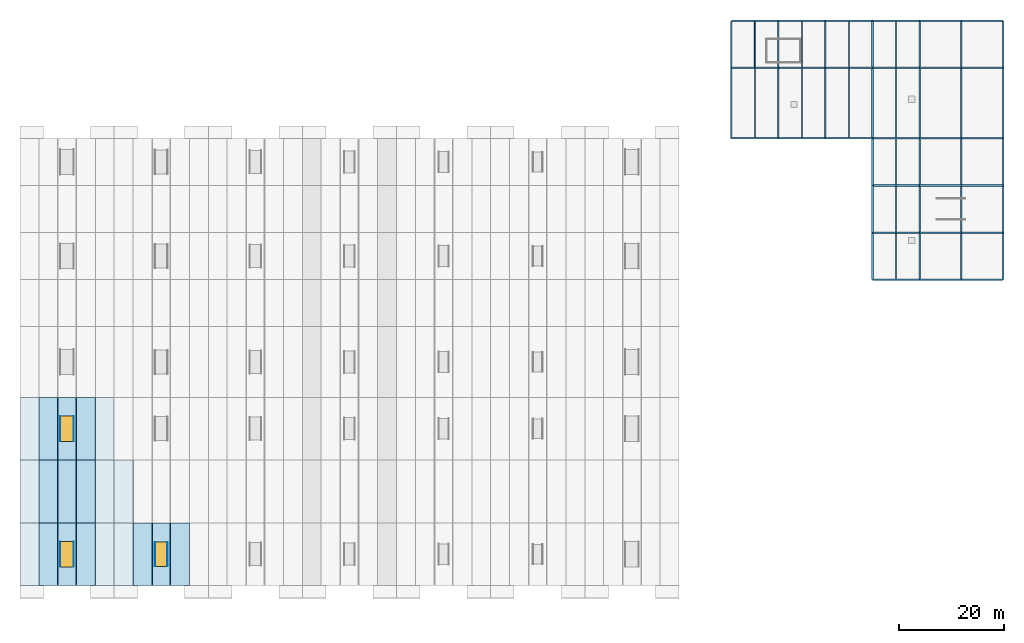
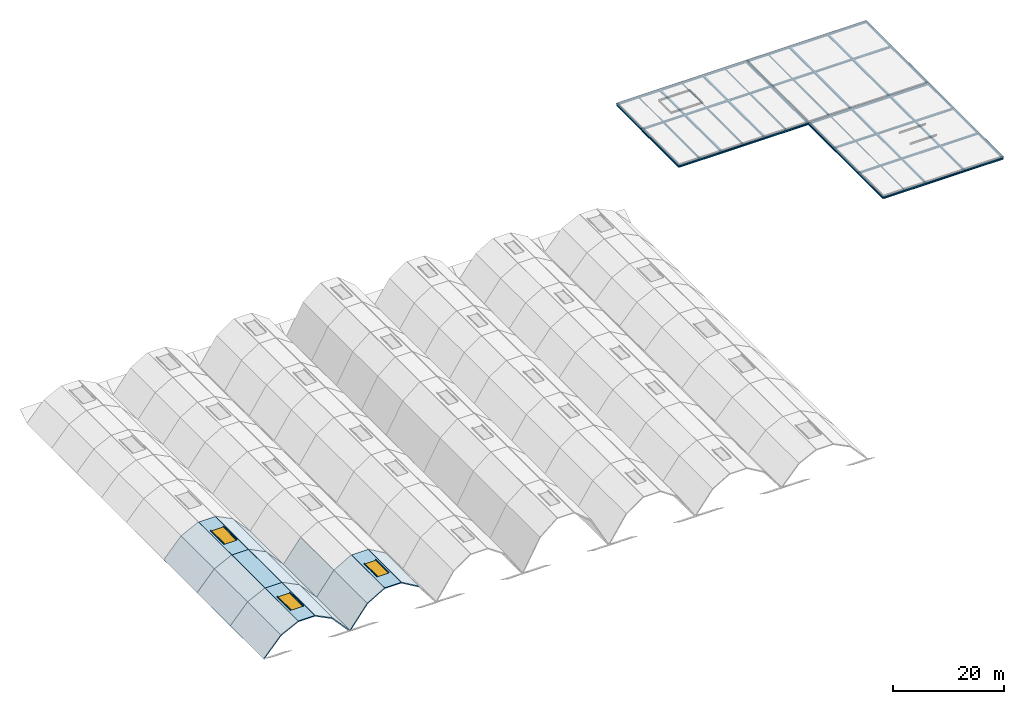
# One storey, part 1 of 11: 64 beams, 20 slabs, 6 plates, 3 windows, 3 openings.
"""IFC4 building model written with IfcOpenShell, lengths in metres."""

from ifc_helpers import new_model, si_unit, direction, frame, origin, origin_2d, place, context, subcontext, project, spatial, polyline, rectangle, i_section, outline, extrude, material, layer, layer_set, material_profile, profile_set, type_object, element, fill, save


model = new_model("IFC4")

# Units and contexts
model_context = context("Model", 3, precision=1e-05, world=origin(), true_north=direction((0.0, 1.0)))
body_context = subcontext(model_context, "Body", "Model", "MODEL_VIEW")
ifc_project = project(units=[si_unit("LENGTHUNIT", "METRE"), si_unit("AREAUNIT", "SQUARE_METRE"), si_unit("VOLUMEUNIT", "CUBIC_METRE"), si_unit("PLANEANGLEUNIT", "RADIAN"), si_unit("MASSUNIT", "GRAM", prefix="KILO")], contexts=[model_context])

# Site, building, storey
site_placement = place(None, origin())
site = spatial("IfcSite", under=ifc_project, at=site_placement, CompositionType="ELEMENT")
building_placement = place(site_placement, origin())
building = spatial("IfcBuilding", under=site, at=building_placement, Name="Chuanluo Vaults Station", CompositionType="ELEMENT")
storey_placement = place(building_placement, frame((0.0, 0.0, 24.0)))
storey = spatial("IfcBuildingStorey", under=building, at=storey_placement, Name="RF", CompositionType="ELEMENT", Elevation=24.0)

# Beams
ifc_material_1 = material(Name="Steel Q355C", Category="steel")
ifc_material_profile_1 = material_profile(ifc_material_1, i_section(OverallWidth=0.300048828125, OverallDepth=0.389892578125, WebThickness=0.010009765625, FlangeThickness=0.01611328125, FilletRadius=0.02001953125, at=origin_2d()))
ifc_profile_set_1 = profile_set([ifc_material_profile_1], Name="Steel Q355C")
beam_type_1 = type_object("IfcBeamType", Name="BM-GRD-400", PredefinedType="BEAM", material=ifc_profile_set_1)
beam_1_placement = place(storey_placement, frame((163.0, 76.5, -0.75), z_axis=(1.0, 0.0, 0.0), x_axis=(0.0, 1.0, 0.0)))
element("IfcBeam", 1, at=beam_1_placement, inside=storey, type_object=beam_type_1, Name="Floor girder BM:GX:RF:1016", PredefinedType="BEAM", context=body_context, shape_type="SweptSolid", body=[
    extrude(i_section(OverallWidth=0.300048828125, OverallDepth=0.389892578125, WebThickness=0.010009765625, FlangeThickness=0.01611328125, FilletRadius=0.02001953125, at=origin_2d()), origin(), (0.0, 0.0, 1.0), 9.0),
])
for number, where, z_axis, x_axis, name in (
    (2, (172.0, 76.5, -0.75), (1.0, 0.0, 0.0), (0.0, 1.0, 0.0), "Floor girder BM:GX:RF:1017"),
    (3, (180.0, 76.5, -0.75), (1.0, 0.0, 0.0), (0.0, 1.0, 0.0), "Floor girder BM:GX:RF:1018"),
):
    element("IfcBeam", number, at=place(storey_placement, frame(where, z_axis=z_axis, x_axis=x_axis)), inside=storey, type_object=beam_type_1, Name=name, PredefinedType="BEAM", context=body_context, shape_type="SweptSolid", body=[
        extrude(i_section(OverallWidth=0.300048828125, OverallDepth=0.389892578125, WebThickness=0.010009765625, FlangeThickness=0.01611328125, FilletRadius=0.02001953125, at=origin_2d()), origin(), (0.0, 0.0, 1.0), 8.0),
    ])
beam_2_placement = place(storey_placement, frame((163.0, 85.5, -0.75), z_axis=(1.0, 0.0, 0.0), x_axis=(0.0, 1.0, 0.0)))
element("IfcBeam", 4, at=beam_2_placement, inside=storey, type_object=beam_type_1, Name="Floor girder BM:GX:RF:1019", PredefinedType="BEAM", context=body_context, shape_type="SweptSolid", body=[
    extrude(i_section(OverallWidth=0.300048828125, OverallDepth=0.389892578125, WebThickness=0.010009765625, FlangeThickness=0.01611328125, FilletRadius=0.02001953125, at=origin_2d()), origin(), (0.0, 0.0, 1.0), 9.0),
])
for number, where, z_axis, x_axis, name in (
    (5, (172.0, 85.5, -0.75), (1.0, 0.0, 0.0), (0.0, 1.0, 0.0), "Floor girder BM:GX:RF:1020"),
    (6, (180.0, 85.5, -0.75), (1.0, 0.0, 0.0), (0.0, 1.0, 0.0), "Floor girder BM:GX:RF:1021"),
):
    element("IfcBeam", number, at=place(storey_placement, frame(where, z_axis=z_axis, x_axis=x_axis)), inside=storey, type_object=beam_type_1, Name=name, PredefinedType="BEAM", context=body_context, shape_type="SweptSolid", body=[
        extrude(i_section(OverallWidth=0.300048828125, OverallDepth=0.389892578125, WebThickness=0.010009765625, FlangeThickness=0.01611328125, FilletRadius=0.02001953125, at=origin_2d()), origin(), (0.0, 0.0, 1.0), 8.0),
    ])
beam_3_placement = place(storey_placement, frame((163.0, 94.5, -0.75), z_axis=(1.0, 0.0, 0.0), x_axis=(0.0, 1.0, 0.0)))
element("IfcBeam", 7, at=beam_3_placement, inside=storey, type_object=beam_type_1, Name="Floor girder BM:GX:RF:1022", PredefinedType="BEAM", context=body_context, shape_type="SweptSolid", body=[
    extrude(i_section(OverallWidth=0.300048828125, OverallDepth=0.389892578125, WebThickness=0.010009765625, FlangeThickness=0.01611328125, FilletRadius=0.02001953125, at=origin_2d()), origin(), (0.0, 0.0, 1.0), 9.0),
])
for number, where, z_axis, x_axis, name in (
    (8, (172.0, 94.5, -0.75), (1.0, 0.0, 0.0), (0.0, 1.0, 0.0), "Floor girder BM:GX:RF:1023"),
    (9, (180.0, 94.5, -0.75), (1.0, 0.0, 0.0), (0.0, 1.0, 0.0), "Floor girder BM:GX:RF:1024"),
):
    element("IfcBeam", number, at=place(storey_placement, frame(where, z_axis=z_axis, x_axis=x_axis)), inside=storey, type_object=beam_type_1, Name=name, PredefinedType="BEAM", context=body_context, shape_type="SweptSolid", body=[
        extrude(i_section(OverallWidth=0.300048828125, OverallDepth=0.389892578125, WebThickness=0.010009765625, FlangeThickness=0.01611328125, FilletRadius=0.02001953125, at=origin_2d()), origin(), (0.0, 0.0, 1.0), 8.0),
    ])
for number, where, z_axis, x_axis, name in (
    (10, (136.0, 103.5, -0.75), (1.0, 0.0, 0.0), (0.0, 1.0, 0.0), "Floor girder BM:GX:RF:1025"),
    (11, (145.0, 103.5, -0.75), (1.0, 0.0, 0.0), (0.0, 1.0, 0.0), "Floor girder BM:GX:RF:1026"),
    (12, (154.0, 103.5, -0.75), (1.0, 0.0, 0.0), (0.0, 1.0, 0.0), "Floor girder BM:GX:RF:1027"),
    (13, (163.0, 103.5, -0.75), (1.0, 0.0, 0.0), (0.0, 1.0, 0.0), "Floor girder BM:GX:RF:1028"),
):
    element("IfcBeam", number, at=place(storey_placement, frame(where, z_axis=z_axis, x_axis=x_axis)), inside=storey, type_object=beam_type_1, Name=name, PredefinedType="BEAM", context=body_context, shape_type="SweptSolid", body=[
        extrude(i_section(OverallWidth=0.300048828125, OverallDepth=0.389892578125, WebThickness=0.010009765625, FlangeThickness=0.01611328125, FilletRadius=0.02001953125, at=origin_2d()), origin(), (0.0, 0.0, 1.0), 9.0),
    ])
for number, where, z_axis, x_axis, name in (
    (14, (172.0, 103.5, -0.75), (1.0, 0.0, 0.0), (0.0, 1.0, 0.0), "Floor girder BM:GX:RF:1029"),
    (15, (180.0, 103.5, -0.75), (1.0, 0.0, 0.0), (0.0, 1.0, 0.0), "Floor girder BM:GX:RF:1030"),
):
    element("IfcBeam", number, at=place(storey_placement, frame(where, z_axis=z_axis, x_axis=x_axis)), inside=storey, type_object=beam_type_1, Name=name, PredefinedType="BEAM", context=body_context, shape_type="SweptSolid", body=[
        extrude(i_section(OverallWidth=0.300048828125, OverallDepth=0.389892578125, WebThickness=0.010009765625, FlangeThickness=0.01611328125, FilletRadius=0.02001953125, at=origin_2d()), origin(), (0.0, 0.0, 1.0), 8.0),
    ])
for number, where, z_axis, x_axis, name in (
    (16, (136.0, 117.0, -0.75), (1.0, 0.0, 0.0), (0.0, 1.0, 0.0), "Floor girder BM:GX:RF:1031"),
    (17, (145.0, 117.0, -0.75), (1.0, 0.0, 0.0), (0.0, 1.0, 0.0), "Floor girder BM:GX:RF:1032"),
    (18, (154.0, 117.0, -0.75), (1.0, 0.0, 0.0), (0.0, 1.0, 0.0), "Floor girder BM:GX:RF:1033"),
    (19, (163.0, 117.0, -0.75), (1.0, 0.0, 0.0), (0.0, 1.0, 0.0), "Floor girder BM:GX:RF:1034"),
):
    element("IfcBeam", number, at=place(storey_placement, frame(where, z_axis=z_axis, x_axis=x_axis)), inside=storey, type_object=beam_type_1, Name=name, PredefinedType="BEAM", context=body_context, shape_type="SweptSolid", body=[
        extrude(i_section(OverallWidth=0.300048828125, OverallDepth=0.389892578125, WebThickness=0.010009765625, FlangeThickness=0.01611328125, FilletRadius=0.02001953125, at=origin_2d()), origin(), (0.0, 0.0, 1.0), 9.0),
    ])
for number, where, z_axis, x_axis, name in (
    (20, (172.0, 117.0, -0.75), (1.0, 0.0, 0.0), (0.0, 1.0, 0.0), "Floor girder BM:GX:RF:1035"),
    (21, (180.0, 117.0, -0.75), (1.0, 0.0, 0.0), (0.0, 1.0, 0.0), "Floor girder BM:GX:RF:1036"),
):
    element("IfcBeam", number, at=place(storey_placement, frame(where, z_axis=z_axis, x_axis=x_axis)), inside=storey, type_object=beam_type_1, Name=name, PredefinedType="BEAM", context=body_context, shape_type="SweptSolid", body=[
        extrude(i_section(OverallWidth=0.300048828125, OverallDepth=0.389892578125, WebThickness=0.010009765625, FlangeThickness=0.01611328125, FilletRadius=0.02001953125, at=origin_2d()), origin(), (0.0, 0.0, 1.0), 8.0),
    ])
for number, where, z_axis, x_axis, name in (
    (22, (136.0, 126.0, -0.75), (1.0, 0.0, 0.0), (0.0, 1.0, 0.0), "Floor girder BM:GX:RF:1037"),
    (23, (145.0, 126.0, -0.75), (1.0, 0.0, 0.0), (0.0, 1.0, 0.0), "Floor girder BM:GX:RF:1038"),
    (24, (154.0, 126.0, -0.75), (1.0, 0.0, 0.0), (0.0, 1.0, 0.0), "Floor girder BM:GX:RF:1039"),
    (25, (163.0, 126.0, -0.75), (1.0, 0.0, 0.0), (0.0, 1.0, 0.0), "Floor girder BM:GX:RF:1040"),
):
    element("IfcBeam", number, at=place(storey_placement, frame(where, z_axis=z_axis, x_axis=x_axis)), inside=storey, type_object=beam_type_1, Name=name, PredefinedType="BEAM", context=body_context, shape_type="SweptSolid", body=[
        extrude(i_section(OverallWidth=0.300048828125, OverallDepth=0.389892578125, WebThickness=0.010009765625, FlangeThickness=0.01611328125, FilletRadius=0.02001953125, at=origin_2d()), origin(), (0.0, 0.0, 1.0), 9.0),
    ])
for number, where, z_axis, x_axis, name in (
    (26, (172.0, 126.0, -0.75), (1.0, 0.0, 0.0), (0.0, 1.0, 0.0), "Floor girder BM:GX:RF:1041"),
    (27, (180.0, 126.0, -0.75), (1.0, 0.0, 0.0), (0.0, 1.0, 0.0), "Floor girder BM:GX:RF:1042"),
):
    element("IfcBeam", number, at=place(storey_placement, frame(where, z_axis=z_axis, x_axis=x_axis)), inside=storey, type_object=beam_type_1, Name=name, PredefinedType="BEAM", context=body_context, shape_type="SweptSolid", body=[
        extrude(i_section(OverallWidth=0.300048828125, OverallDepth=0.389892578125, WebThickness=0.010009765625, FlangeThickness=0.01611328125, FilletRadius=0.02001953125, at=origin_2d()), origin(), (0.0, 0.0, 1.0), 8.0),
    ])
for number, where, z_axis, x_axis, name in (
    (28, (136.0, 117.0, -0.75), (0.0, 1.0, 0.0), (-1.0, 0.0, 0.0), "Floor girder BM:GY:RF:1044"),
    (29, (145.0, 117.0, -0.75), (0.0, 1.0, 0.0), (-1.0, 0.0, 0.0), "Floor girder BM:GY:RF:1046"),
    (30, (154.0, 117.0, -0.75), (0.0, 1.0, 0.0), (-1.0, 0.0, 0.0), "Floor girder BM:GY:RF:1048"),
    (31, (163.0, 76.5, -0.75), (0.0, 1.0, 0.0), (-1.0, 0.0, 0.0), "Floor girder BM:GY:RF:1049"),
    (32, (163.0, 85.5, -0.75), (0.0, 1.0, 0.0), (-1.0, 0.0, 0.0), "Floor girder BM:GY:RF:1050"),
    (33, (163.0, 94.5, -0.75), (0.0, 1.0, 0.0), (-1.0, 0.0, 0.0), "Floor girder BM:GY:RF:1051"),
    (34, (163.0, 117.0, -0.75), (0.0, 1.0, 0.0), (-1.0, 0.0, 0.0), "Floor girder BM:GY:RF:1053"),
    (35, (172.0, 76.5, -0.75), (0.0, 1.0, 0.0), (-1.0, 0.0, 0.0), "Floor girder BM:GY:RF:1054"),
    (36, (172.0, 85.5, -0.75), (0.0, 1.0, 0.0), (-1.0, 0.0, 0.0), "Floor girder BM:GY:RF:1055"),
    (37, (172.0, 94.5, -0.75), (0.0, 1.0, 0.0), (-1.0, 0.0, 0.0), "Floor girder BM:GY:RF:1056"),
    (38, (172.0, 117.0, -0.75), (0.0, 1.0, 0.0), (-1.0, 0.0, 0.0), "Floor girder BM:GY:RF:1058"),
    (39, (180.0, 76.5, -0.75), (0.0, 1.0, 0.0), (-1.0, 0.0, 0.0), "Floor girder BM:GY:RF:1059"),
    (40, (180.0, 85.5, -0.75), (0.0, 1.0, 0.0), (-1.0, 0.0, 0.0), "Floor girder BM:GY:RF:1060"),
    (41, (180.0, 94.5, -0.75), (0.0, 1.0, 0.0), (-1.0, 0.0, 0.0), "Floor girder BM:GY:RF:1061"),
    (42, (180.0, 117.0, -0.75), (0.0, 1.0, 0.0), (-1.0, 0.0, 0.0), "Floor girder BM:GY:RF:1063"),
    (43, (188.0, 76.5, -0.75), (0.0, 1.0, 0.0), (-1.0, 0.0, 0.0), "Floor girder BM:GY:RF:1064"),
    (44, (188.0, 85.5, -0.75), (0.0, 1.0, 0.0), (-1.0, 0.0, 0.0), "Floor girder BM:GY:RF:1065"),
    (45, (188.0, 94.5, -0.75), (0.0, 1.0, 0.0), (-1.0, 0.0, 0.0), "Floor girder BM:GY:RF:1066"),
    (46, (188.0, 117.0, -0.75), (0.0, 1.0, 0.0), (-1.0, 0.0, 0.0), "Floor girder BM:GY:RF:1068"),
):
    element("IfcBeam", number, at=place(storey_placement, frame(where, z_axis=z_axis, x_axis=x_axis)), inside=storey, type_object=beam_type_1, Name=name, PredefinedType="BEAM", context=body_context, shape_type="SweptSolid", body=[
        extrude(i_section(OverallWidth=0.300048828125, OverallDepth=0.389892578125, WebThickness=0.010009765625, FlangeThickness=0.01611328125, FilletRadius=0.02001953125, at=origin_2d()), origin(), (0.0, 0.0, 1.0), 9.0),
    ])
ifc_material_2 = material(Name="Steel Q355C", Category="steel")
ifc_material_profile_2 = material_profile(ifc_material_2, i_section(OverallWidth=0.300048828125, OverallDepth=0.43994140625, WebThickness=0.010986328125, FlangeThickness=0.01806640625, FilletRadius=0.02001953125, at=origin_2d()))
ifc_profile_set_2 = profile_set([ifc_material_profile_2], Name="Steel Q355C")
beam_type_2 = type_object("IfcBeamType", Name="BM-GRD-450", PredefinedType="USERDEFINED", material=ifc_profile_set_2)
for number, where, z_axis, x_axis, name in (
    (47, (136.0, 103.5, -0.77490234375), (0.0, 1.0, 0.0), (-1.0, 0.0, 0.0), "Floor girder BM:GY:RF:1043"),
    (48, (145.0, 103.5, -0.77490234375), (0.0, 1.0, 0.0), (-1.0, 0.0, 0.0), "Floor girder BM:GY:RF:1045"),
    (49, (154.0, 103.5, -0.77490234375), (0.0, 1.0, 0.0), (-1.0, 0.0, 0.0), "Floor girder BM:GY:RF:1047"),
    (50, (163.0, 103.5, -0.77490234375), (0.0, 1.0, 0.0), (-1.0, 0.0, 0.0), "Floor girder BM:GY:RF:1052"),
    (51, (172.0, 103.5, -0.77490234375), (0.0, 1.0, 0.0), (-1.0, 0.0, 0.0), "Floor girder BM:GY:RF:1057"),
    (52, (180.0, 103.5, -0.77490234375), (0.0, 1.0, 0.0), (-1.0, 0.0, 0.0), "Floor girder BM:GY:RF:1062"),
    (53, (188.0, 103.5, -0.77490234375), (0.0, 1.0, 0.0), (-1.0, 0.0, 0.0), "Floor girder BM:GY:RF:1067"),
):
    element("IfcBeam", number, at=place(storey_placement, frame(where, z_axis=z_axis, x_axis=x_axis)), inside=storey, type_object=beam_type_2, Name=name, ObjectType="GIRDER", PredefinedType="USERDEFINED", context=body_context, shape_type="SweptSolid", body=[
        extrude(i_section(OverallWidth=0.300048828125, OverallDepth=0.43994140625, WebThickness=0.010986328125, FlangeThickness=0.01806640625, FilletRadius=0.02001953125, at=origin_2d()), origin(), (0.0, 0.0, 1.0), 13.5),
    ])
ifc_material_3 = material(Name="Steel Q355C", Category="steel")
ifc_material_profile_3 = material_profile(ifc_material_3, i_section(OverallWidth=0.125, OverallDepth=0.25, WebThickness=0.006103515625, FlangeThickness=0.009033203125, FilletRadius=0.011962890625, at=origin_2d()))
ifc_profile_set_3 = profile_set([ifc_material_profile_3], Name="Steel Q355C")
beam_type_3 = type_object("IfcBeamType", Name="BM-SEC-250", PredefinedType="JOIST", material=ifc_profile_set_3)
for number, where, z_axis, x_axis, name in (
    (54, (140.5, 117.155029296875, -0.679931640625), (0.0, 1.0, 0.0), (-1.0, 0.0, 0.0), "Composite secondary joist 0311"),
    (55, (149.5, 117.155029296875, -0.679931640625), (0.0, 1.0, 0.0), (-1.0, 0.0, 0.0), "Composite secondary joist 0313"),
    (56, (158.5, 117.155029296875, -0.679931640625), (0.0, 1.0, 0.0), (-1.0, 0.0, 0.0), "Composite secondary joist 0315"),
    (57, (167.5, 76.655029296875, -0.679931640625), (0.0, 1.0, 0.0), (-1.0, 0.0, 0.0), "Composite secondary joist 0316"),
    (58, (167.5, 85.655029296875, -0.679931640625), (0.0, 1.0, 0.0), (-1.0, 0.0, 0.0), "Composite secondary joist 0317"),
    (59, (167.5, 94.655029296875, -0.679931640625), (0.0, 1.0, 0.0), (-1.0, 0.0, 0.0), "Composite secondary joist 0318"),
    (60, (167.5, 117.155029296875, -0.679931640625), (0.0, 1.0, 0.0), (-1.0, 0.0, 0.0), "Composite secondary joist 0320"),
):
    element("IfcBeam", number, at=place(storey_placement, frame(where, z_axis=z_axis, x_axis=x_axis)), inside=storey, type_object=beam_type_3, Name=name, PredefinedType="JOIST", context=body_context, shape_type="SweptSolid", body=[
        extrude(i_section(OverallWidth=0.125, OverallDepth=0.25, WebThickness=0.006103515625, FlangeThickness=0.009033203125, FilletRadius=0.011962890625, at=origin_2d()), origin(), (0.0, 0.0, 1.0), 8.68994140625),
    ])
ifc_material_4 = material(Name="Steel Q355C", Category="steel")
ifc_material_profile_4 = material_profile(ifc_material_4, i_section(OverallWidth=0.199951171875, OverallDepth=0.39990234375, WebThickness=0.008056640625, FlangeThickness=0.012939453125, FilletRadius=0.01611328125, at=origin_2d()))
ifc_profile_set_4 = profile_set([ifc_material_profile_4], Name="Steel Q355C")
beam_type_4 = type_object("IfcBeamType", Name="BM-SEC-400", PredefinedType="BEAM", material=ifc_profile_set_4)
for number, where, z_axis, x_axis, name in (
    (61, (140.5, 103.655029296875, -0.7548828125), (0.0, 1.0, 0.0), (-1.0, 0.0, 0.0), "Composite secondary joist 0310"),
    (62, (149.5, 103.655029296875, -0.7548828125), (0.0, 1.0, 0.0), (-1.0, 0.0, 0.0), "Composite secondary joist 0312"),
    (63, (158.5, 103.655029296875, -0.7548828125), (0.0, 1.0, 0.0), (-1.0, 0.0, 0.0), "Composite secondary joist 0314"),
    (64, (167.5, 103.655029296875, -0.7548828125), (0.0, 1.0, 0.0), (-1.0, 0.0, 0.0), "Composite secondary joist 0319"),
):
    element("IfcBeam", number, at=place(storey_placement, frame(where, z_axis=z_axis, x_axis=x_axis)), inside=storey, type_object=beam_type_4, Name=name, PredefinedType="BEAM", context=body_context, shape_type="SweptSolid", body=[
        extrude(i_section(OverallWidth=0.199951171875, OverallDepth=0.39990234375, WebThickness=0.008056640625, FlangeThickness=0.012939453125, FilletRadius=0.01611328125, at=origin_2d()), origin(), (0.0, 0.0, 1.0), 13.18994140625),
    ])

# Plates
ifc_material_5 = material(Name="Laminated safety skylight glass", Category="glass")
ifc_layer_1 = layer(ifc_material_5, 0.033935546875)
ifc_layer_set_1 = layer_set([ifc_layer_1], Name="Laminated safety skylight glass")
plate_type_1 = type_object("IfcPlateType", Name="PLT-SKY-01", PredefinedType="SHEET", material=ifc_layer_set_1)
for number, where, z_axis, x_axis, name in (
    (65, (7.699951171875, 24.0, -4.0498046875), (0.0, 0.0, 1.0), (1.0, 0.0, 0.0), "Vault V1 skylight kerb plate 01W"),
    (66, (7.699951171875, 48.0, -4.0498046875), (0.0, 0.0, 1.0), (1.0, 0.0, 0.0), "Vault V1 skylight kerb plate 02W"),
):
    element("IfcPlate", number, at=place(storey_placement, frame(where, z_axis=z_axis, x_axis=x_axis)), inside=storey, type_object=plate_type_1, Name=name, PredefinedType="SHEET", context=body_context, shape_type="SweptSolid", body=[
        extrude(rectangle(XDim=0.033935546875, YDim=4.800048828125, at=origin_2d()), origin(), (0.0, 0.0, 1.0), 0.219970703125),
    ])
plate_1_placement = place(storey_placement, frame((25.800048828125, 24.0, -3.0498046875), z_axis=(0.0, 0.0, 1.0), x_axis=(1.0, 0.0, 0.0)))
element("IfcPlate", 67, at=plate_1_placement, inside=storey, type_object=plate_type_1, Name="Vault V2 skylight kerb plate 06W", PredefinedType="SHEET", context=body_context, shape_type="SweptSolid", body=[
    extrude(rectangle(XDim=0.033935546875, YDim=4.60009765625, at=origin_2d()), origin(), (0.0, 0.0, 1.0), 0.219970703125),
])
ifc_material_6 = material(Name="Laminated safety skylight glass", Category="glass")
ifc_layer_2 = layer(ifc_material_6, 0.030029296875)
ifc_layer_set_2 = layer_set([ifc_layer_2], Name="Laminated safety skylight glass")
plate_type_2 = type_object("IfcPlateType", Name="PLT-SKY-02", PredefinedType="SHEET", material=ifc_layer_set_2)
for number, where, z_axis, x_axis, name in (
    (68, (10.300048828125, 24.0, -4.0498046875), (0.0, 0.0, 1.0), (1.0, 0.0, 0.0), "Vault V1 skylight kerb plate 01E"),
    (69, (10.300048828125, 48.0, -4.0498046875), (0.0, 0.0, 1.0), (1.0, 0.0, 0.0), "Vault V1 skylight kerb plate 02E"),
):
    element("IfcPlate", number, at=place(storey_placement, frame(where, z_axis=z_axis, x_axis=x_axis)), inside=storey, type_object=plate_type_2, Name=name, PredefinedType="SHEET", context=body_context, shape_type="SweptSolid", body=[
        extrude(rectangle(XDim=0.030029296875, YDim=4.800048828125, at=origin_2d()), origin(), (0.0, 0.0, 1.0), 0.219970703125),
    ])
plate_2_placement = place(storey_placement, frame((28.199951171875, 24.0, -3.0498046875), z_axis=(0.0, 0.0, 1.0), x_axis=(1.0, 0.0, 0.0)))
element("IfcPlate", 70, at=plate_2_placement, inside=storey, type_object=plate_type_2, Name="Vault V2 skylight kerb plate 06E", PredefinedType="SHEET", context=body_context, shape_type="SweptSolid", body=[
    extrude(rectangle(XDim=0.030029296875, YDim=4.60009765625, at=origin_2d()), origin(), (0.0, 0.0, 1.0), 0.219970703125),
])

# Slabs
ifc_material_7 = material(Name="Concrete C50", Category="concrete")
ifc_layer_3 = layer(ifc_material_7, 0.219970703125)
ifc_layer_set_3 = layer_set([ifc_layer_3], Name="Concrete C50")
slab_type = type_object("IfcSlabType", Name="SLB-VLT-220", PredefinedType="ROOF", material=ifc_layer_set_3)
slab_1_placement = place(storey_placement, frame((0.0, 18.0, -9.85009765625), z_axis=(-0.74346776464, 0.0, 0.668771771938), x_axis=(0.668771771938, 0.0, 0.74346776464)))
element("IfcSlab", 71, at=slab_1_placement, inside=storey, type_object=slab_type, Name="Vault V1 planar roof facet 1-L1", PredefinedType="ROOF", context=body_context, shape_type="SweptSolid", body=[
    extrude(outline(polyline([(0.0, 0.0), (5.383148343442986, 0.0), (5.383148343442986, 12.0), (0.0, 12.0), (0.0, 0.0)])), origin(), (0.0, 0.0, -1.0), 0.219970703125),
])
for number, where, z_axis, x_axis, name in (
    (72, (3.60009765625, 18.0, -5.847900390625), (-0.446800966909, 0.0, 0.894633386348), (0.894633386348, 0.0, 0.446800966909), "Vault V1 planar roof facet 1-L2"),
    (73, (10.800048828125, 18.0, -4.050048828125), (0.446800966909, 0.0, 0.894633386348), (0.894633386348, 0.0, -0.446800966909), "Vault V1 planar roof facet 1-R2"),
):
    element("IfcSlab", number, at=place(storey_placement, frame(where, z_axis=z_axis, x_axis=x_axis)), inside=storey, type_object=slab_type, Name=name, PredefinedType="ROOF", context=body_context, shape_type="SweptSolid", body=[
        extrude(outline(polyline([(0.0, 0.0), (4.023830957525598, 0.0), (4.023830957525598, 12.000000000000004), (0.0, 12.000000000000004), (0.0, 0.0)])), origin(), (0.0, 0.0, -1.0), 0.219970703125),
    ])
slab_2_placement = place(storey_placement, frame((14.39990234375, 18.0, -5.847900390625), z_axis=(0.74346776464, 0.0, 0.668771771938), x_axis=(0.668771771938, 0.0, -0.74346776464)))
element("IfcSlab", 74, at=slab_2_placement, inside=storey, type_object=slab_type, Name="Vault V1 planar roof facet 1-R1", PredefinedType="ROOF", context=body_context, shape_type="SweptSolid", body=[
    extrude(outline(polyline([(0.0, 0.0), (5.383148343442986, 0.0), (5.383148343442986, 12.0), (0.0, 12.0), (0.0, 0.0)])), origin(), (0.0, 0.0, -1.0), 0.219970703125),
])

# Slab, opening, window
slab_3_placement = place(storey_placement, frame((0.0, 0.0, -4.27001953125)))
slab_3 = element("IfcSlab", 75, at=slab_3_placement, inside=storey, type_object=slab_type, Name="Vault V1 crown skylight slab 1", PredefinedType="ROOF", context=body_context, shape_type="SweptSolid", body=[
    extrude(outline(polyline([(7.283203125, 18.0), (10.716796875, 18.0), (10.716796875, 30.0), (7.283203125, 30.0), (7.283203125, 18.0)])), origin(), (0.0, 0.0, 1.0), 0.219970703125),
])
opening_1_placement = place(slab_3_placement, frame((9.0, 24.0, 0.0)))
opening_1 = element("IfcOpeningElement", 76, at=opening_1_placement, cuts=slab_3, Name="Opening SK-01", PredefinedType="OPENING", context=body_context, shape_type="SweptSolid", body=[
    extrude(rectangle(XDim=2.60009765625, YDim=4.800048828125, at=origin_2d()), frame((0.0, 0.0, -0.01)), (0.0, 0.0, 1.0), 0.23997),
])
ifc_material_8 = material(Name="Laminated safety skylight glass", Category="glass")
window_type_1 = type_object("IfcWindowType", Name="SKY-VLT-2600x4800", PartitioningType="SINGLE_PANEL", PredefinedType="SKYLIGHT", material=ifc_material_8)
window_1_placement = place(opening_1_placement, frame((0.0, 0.0, 0.169921875)))
window_1 = element("IfcWindow", 77, at=window_1_placement, inside=storey, type_object=window_type_1, Name="Vault V1 ridge skylight 01", OverallHeight=4.800048828125, OverallWidth=2.60009765625, PartitioningType="SINGLE_PANEL", PredefinedType="SKYLIGHT", context=body_context, shape_type="SweptSolid", body=[
    extrude(rectangle(XDim=2.60009765625, YDim=4.800048828125, at=origin_2d()), origin(), (0.0, 0.0, 1.0), 0.050048828125),
])
fill(opening_1, window_1)

# Slabs
slab_4_placement = place(storey_placement, frame((0.0, 30.0, -9.85009765625), z_axis=(-0.74346776464, 0.0, 0.668771771938), x_axis=(0.668771771938, 0.0, 0.74346776464)))
element("IfcSlab", 78, at=slab_4_placement, inside=storey, type_object=slab_type, Name="Vault V1 planar roof facet 2-L1", PredefinedType="ROOF", context=body_context, shape_type="SweptSolid", body=[
    extrude(outline(polyline([(0.0, 0.0), (5.383148343442986, 0.0), (5.383148343442986, 12.0), (0.0, 12.0), (0.0, 0.0)])), origin(), (0.0, 0.0, -1.0), 0.219970703125),
])
for number, where, z_axis, x_axis, name in (
    (79, (3.60009765625, 30.0, -5.847900390625), (-0.446800966909, 0.0, 0.894633386348), (0.894633386348, 0.0, 0.446800966909), "Vault V1 planar roof facet 2-L2"),
    (80, (10.800048828125, 30.0, -4.050048828125), (0.446800966909, 0.0, 0.894633386348), (0.894633386348, 0.0, -0.446800966909), "Vault V1 planar roof facet 2-R2"),
):
    element("IfcSlab", number, at=place(storey_placement, frame(where, z_axis=z_axis, x_axis=x_axis)), inside=storey, type_object=slab_type, Name=name, PredefinedType="ROOF", context=body_context, shape_type="SweptSolid", body=[
        extrude(outline(polyline([(0.0, 0.0), (4.023830957525598, 0.0), (4.023830957525598, 12.000000000000004), (0.0, 12.000000000000004), (0.0, 0.0)])), origin(), (0.0, 0.0, -1.0), 0.219970703125),
    ])
slab_5_placement = place(storey_placement, frame((14.39990234375, 30.0, -5.847900390625), z_axis=(0.74346776464, 0.0, 0.668771771938), x_axis=(0.668771771938, 0.0, -0.74346776464)))
element("IfcSlab", 81, at=slab_5_placement, inside=storey, type_object=slab_type, Name="Vault V1 planar roof facet 2-R1", PredefinedType="ROOF", context=body_context, shape_type="SweptSolid", body=[
    extrude(outline(polyline([(0.0, 0.0), (5.383148343442986, 0.0), (5.383148343442986, 12.0), (0.0, 12.0), (0.0, 0.0)])), origin(), (0.0, 0.0, -1.0), 0.219970703125),
])
slab_6_placement = place(storey_placement, frame((0.0, 0.0, -4.27001953125)))
element("IfcSlab", 82, at=slab_6_placement, inside=storey, type_object=slab_type, Name="Vault V1 crown skylight slab 2", PredefinedType="ROOF", context=body_context, shape_type="SweptSolid", body=[
    extrude(outline(polyline([(7.283203125, 30.0), (10.716796875, 30.0), (10.716796875, 42.0), (7.283203125, 42.0), (7.283203125, 30.0)])), origin(), (0.0, 0.0, 1.0), 0.219970703125),
])
slab_7_placement = place(storey_placement, frame((0.0, 42.0, -9.85009765625), z_axis=(-0.74346776464, 0.0, 0.668771771938), x_axis=(0.668771771938, 0.0, 0.74346776464)))
element("IfcSlab", 83, at=slab_7_placement, inside=storey, type_object=slab_type, Name="Vault V1 planar roof facet 3-L1", PredefinedType="ROOF", context=body_context, shape_type="SweptSolid", body=[
    extrude(outline(polyline([(0.0, 0.0), (5.383148343442986, 0.0), (5.383148343442986, 12.0), (0.0, 12.0), (0.0, 0.0)])), origin(), (0.0, 0.0, -1.0), 0.219970703125),
])
for number, where, z_axis, x_axis, name in (
    (84, (3.60009765625, 42.0, -5.847900390625), (-0.446800966909, 0.0, 0.894633386348), (0.894633386348, 0.0, 0.446800966909), "Vault V1 planar roof facet 3-L2"),
    (85, (10.800048828125, 42.0, -4.050048828125), (0.446800966909, 0.0, 0.894633386348), (0.894633386348, 0.0, -0.446800966909), "Vault V1 planar roof facet 3-R2"),
):
    element("IfcSlab", number, at=place(storey_placement, frame(where, z_axis=z_axis, x_axis=x_axis)), inside=storey, type_object=slab_type, Name=name, PredefinedType="ROOF", context=body_context, shape_type="SweptSolid", body=[
        extrude(outline(polyline([(0.0, 0.0), (4.023830957525598, 0.0), (4.023830957525598, 12.000000000000004), (0.0, 12.000000000000004), (0.0, 0.0)])), origin(), (0.0, 0.0, -1.0), 0.219970703125),
    ])
slab_8_placement = place(storey_placement, frame((14.39990234375, 42.0, -5.847900390625), z_axis=(0.74346776464, 0.0, 0.668771771938), x_axis=(0.668771771938, 0.0, -0.74346776464)))
element("IfcSlab", 86, at=slab_8_placement, inside=storey, type_object=slab_type, Name="Vault V1 planar roof facet 3-R1", PredefinedType="ROOF", context=body_context, shape_type="SweptSolid", body=[
    extrude(outline(polyline([(0.0, 0.0), (5.383148343442986, 0.0), (5.383148343442986, 12.0), (0.0, 12.0), (0.0, 0.0)])), origin(), (0.0, 0.0, -1.0), 0.219970703125),
])

# Slab, opening, window
slab_9_placement = place(storey_placement, frame((0.0, 0.0, -4.27001953125)))
slab_9 = element("IfcSlab", 87, at=slab_9_placement, inside=storey, type_object=slab_type, Name="Vault V1 crown skylight slab 3", PredefinedType="ROOF", context=body_context, shape_type="SweptSolid", body=[
    extrude(outline(polyline([(7.283203125, 42.0), (10.716796875, 42.0), (10.716796875, 54.0), (7.283203125, 54.0), (7.283203125, 42.0)])), origin(), (0.0, 0.0, 1.0), 0.219970703125),
])
opening_2_placement = place(slab_9_placement, frame((9.0, 48.0, 0.0)))
opening_2 = element("IfcOpeningElement", 88, at=opening_2_placement, cuts=slab_9, Name="Opening SK-01", PredefinedType="OPENING", context=body_context, shape_type="SweptSolid", body=[
    extrude(rectangle(XDim=2.60009765625, YDim=4.800048828125, at=origin_2d()), frame((0.0, 0.0, -0.01)), (0.0, 0.0, 1.0), 0.23997),
])
window_2_placement = place(opening_2_placement, frame((0.0, 0.0, 0.169921875)))
window_2 = element("IfcWindow", 89, at=window_2_placement, inside=storey, type_object=window_type_1, Name="Vault V1 ridge skylight 02", OverallHeight=4.800048828125, OverallWidth=2.60009765625, PartitioningType="SINGLE_PANEL", PredefinedType="SKYLIGHT", context=body_context, shape_type="SweptSolid", body=[
    extrude(rectangle(XDim=2.60009765625, YDim=4.800048828125, at=origin_2d()), origin(), (0.0, 0.0, 1.0), 0.050048828125),
])
fill(opening_2, window_2)

# Slabs
slab_10_placement = place(storey_placement, frame((18.0, 18.0, -9.85009765625), z_axis=(-0.793378408249, 0.0, 0.608728758418), x_axis=(0.608728758418, 0.0, 0.793378408249)))
element("IfcSlab", 90, at=slab_10_placement, inside=storey, type_object=slab_type, Name="Vault V2 planar roof facet 1-L1", PredefinedType="ROOF", context=body_context, shape_type="SweptSolid", body=[
    extrude(outline(polyline([(0.0, 0.0), (5.914124487245905, 0.0), (5.914124487245905, 12.0), (0.0, 12.0), (0.0, 0.0)])), origin(), (0.0, 0.0, -1.0), 0.219970703125),
])
for number, where, z_axis, x_axis, name in (
    (91, (21.60009765625, 18.0, -5.157958984375), (-0.505300394389, 0.0, 0.862943515782), (0.862943515782, 0.0, 0.505300394389), "Vault V2 planar roof facet 1-L2"),
    (92, (28.800048828125, 18.0, -3.050048828125), (0.505300394389, 0.0, 0.862943515782), (0.862943515782, 0.0, -0.505300394389), "Vault V2 planar roof facet 1-R2"),
):
    element("IfcSlab", number, at=place(storey_placement, frame(where, z_axis=z_axis, x_axis=x_axis)), inside=storey, type_object=slab_type, Name=name, PredefinedType="ROOF", context=body_context, shape_type="SweptSolid", body=[
        extrude(outline(polyline([(0.0, 0.0), (4.171598082363589, 0.0), (4.171598082363589, 12.0), (0.0, 12.0), (0.0, 0.0)])), origin(), (0.0, 0.0, -1.0), 0.219970703125),
    ])

# Slab, opening, window
slab_11_placement = place(storey_placement, frame((0.0, 0.0, -3.27001953125)))
slab_11 = element("IfcSlab", 93, at=slab_11_placement, inside=storey, type_object=slab_type, Name="Vault V2 crown skylight slab 1", PredefinedType="ROOF", context=body_context, shape_type="SweptSolid", body=[
    extrude(outline(polyline([(25.296142578125, 18.0), (28.703857421875, 18.0), (28.703857421875, 30.0), (25.296142578125, 30.0), (25.296142578125, 18.0)])), origin(), (0.0, 0.0, 1.0), 0.219970703125),
])
opening_3_placement = place(slab_11_placement, frame((27.0, 24.0, 0.0)))
opening_3 = element("IfcOpeningElement", 94, at=opening_3_placement, cuts=slab_11, Name="Opening SK-02", PredefinedType="OPENING", context=body_context, shape_type="SweptSolid", body=[
    extrude(rectangle(XDim=2.39990234375, YDim=4.60009765625, at=origin_2d()), frame((0.0, 0.0, -0.01)), (0.0, 0.0, 1.0), 0.23997),
])
ifc_material_9 = material(Name="Laminated safety skylight glass", Category="glass")
window_type_2 = type_object("IfcWindowType", Name="SKY-VLT-2400x4600", PartitioningType="SINGLE_PANEL", PredefinedType="SKYLIGHT", material=ifc_material_9)
window_3_placement = place(opening_3_placement, frame((0.0, 0.0, 0.169921875)))
window_3 = element("IfcWindow", 95, at=window_3_placement, inside=storey, type_object=window_type_2, Name="Vault V2 ridge skylight 06", OverallHeight=4.60009765625, OverallWidth=2.39990234375, PartitioningType="SINGLE_PANEL", PredefinedType="SKYLIGHT", context=body_context, shape_type="SweptSolid", body=[
    extrude(rectangle(XDim=2.39990234375, YDim=4.60009765625, at=origin_2d()), origin(), (0.0, 0.0, 1.0), 0.050048828125),
])
fill(opening_3, window_3)

# Slab
slab_12_placement = place(storey_placement, frame((18.0, 30.0, -9.85009765625), z_axis=(-0.793378408249, 0.0, 0.608728758418), x_axis=(0.608728758418, 0.0, 0.793378408249)))
element("IfcSlab", 96, at=slab_12_placement, inside=storey, type_object=slab_type, Name="Vault V2 planar roof facet 2-L1", PredefinedType="ROOF", context=body_context, shape_type="SweptSolid", body=[
    extrude(outline(polyline([(0.0, 0.0), (5.914124487245905, 0.0), (5.914124487245905, 12.0), (0.0, 12.0), (0.0, 0.0)])), origin(), (0.0, 0.0, -1.0), 0.219970703125),
])

save(model, "model.ifc")
